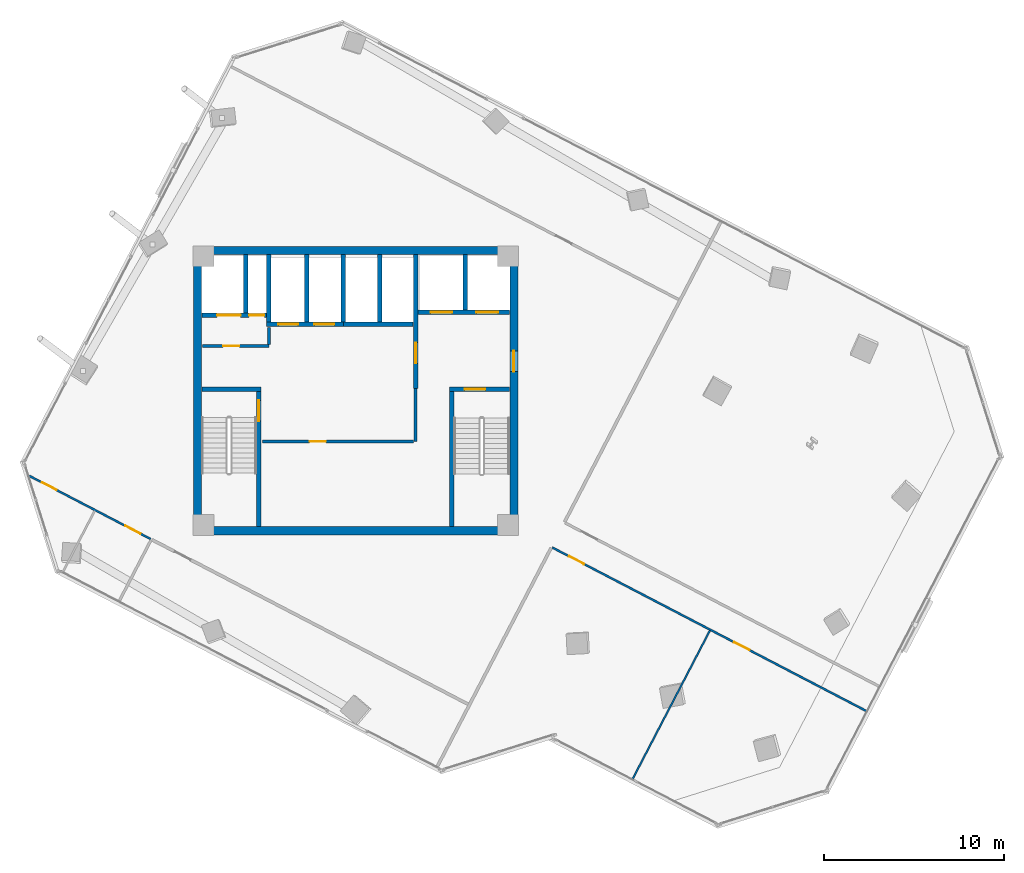
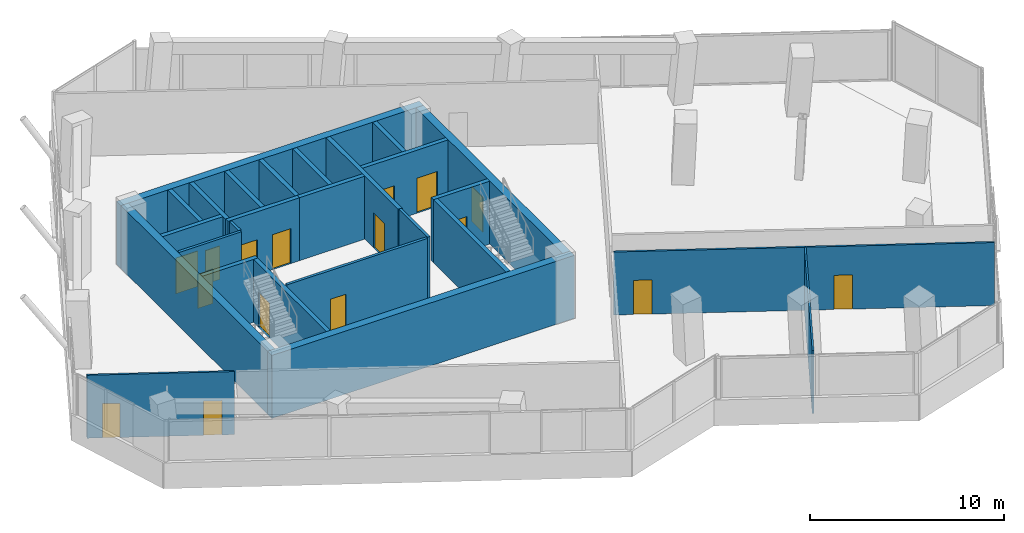
# One storey, part 17 of 22: 26 walls, 16 doors, 16 openings.
"""IFC4 building model written with IfcOpenShell, lengths in metres."""

from ifc_helpers import new_model, si_unit, direction, frame, frame_2d, origin, place, context, subcontext, project, spatial, rectangle, extrude, source, transform, mapped, material, layer, layer_set, type_object, element, fill, save


model = new_model("IFC4")

# Units and contexts
model_context = context("Model", 3, precision=1e-05, world=origin(), true_north=direction((0.0, 1.0)))
body_context = subcontext(model_context, "Body", "Model", "MODEL_VIEW")
ifc_project = project(units=[si_unit("LENGTHUNIT", "METRE"), si_unit("AREAUNIT", "SQUARE_METRE"), si_unit("VOLUMEUNIT", "CUBIC_METRE"), si_unit("PLANEANGLEUNIT", "RADIAN"), si_unit("MASSUNIT", "GRAM", prefix="KILO")], contexts=[model_context])

# Site, building, storey
site_placement = place(None, origin())
site = spatial("IfcSite", under=ifc_project, at=site_placement, CompositionType="ELEMENT")
building_placement = place(site_placement, origin())
building = spatial("IfcBuilding", under=site, at=building_placement, Name="Torre Montelarca", CompositionType="ELEMENT")
storey_placement = place(building_placement, frame((0.0, 0.0, 175.0)))
storey = spatial("IfcBuildingStorey", under=building, at=storey_placement, Name="L39", CompositionType="ELEMENT", Elevation=175.0)

# Wall, opening, door
ifc_material_1 = material(Name="Concrete C40/50", Category="concrete")
ifc_layer_1 = layer(ifc_material_1, 0.25, Name="Concrete C40/50", Category="concrete")
ifc_layer_set_1 = layer_set([ifc_layer_1], Name="Concrete C40/50")
wall_type_1 = type_object("IfcWallType", Name="CW-SHAFT-250", PredefinedType="SHEAR", material=ifc_layer_set_1)
wall_1_placement = place(storey_placement, frame((12.625, 24.4599609375, 0.0), z_axis=(0.0, 0.0, 1.0), x_axis=(0.0, 1.0, 0.0)))
wall_1 = element("IfcWall", 1, at=wall_1_placement, inside=storey, type_object=wall_type_1, Name="L39 Core Shear Wall SH-ST1-E", PredefinedType="SHEAR", context=body_context, shape_type="SweptSolid", body=[
    extrude(rectangle(XDim=7.489990234375, YDim=0.25, at=frame_2d((3.7451171875, 0.0))), origin(), (0.0, 0.0, 1.0), 3.9599609375),
])
opening_1_placement = place(wall_1_placement, frame((5.85009765625, 0.0, 0.0)))
opening_1 = element("IfcOpeningElement", 2, at=opening_1_placement, cuts=wall_1, Name="Opening FD-ST1", PredefinedType="OPENING", context=body_context, shape_type="SweptSolid", body=[
    extrude(rectangle(XDim=1.14990234375, YDim=2.199951171875, at=frame_2d((0.574951171875, 1.10009765625))), frame((0.0, 0.135009765625, 0.0), z_axis=(0.0, -1.0, 0.0), x_axis=(1.0, 0.0, 0.0)), (0.0, 0.0, 1.0), 0.27001953125),
])
ifc_material_2 = material(Name="Galvanized steel fire door", Category="steel")
door_type_1 = type_object("IfcDoorType", Name="DR-STAIR-115", OperationType="NOTDEFINED", PredefinedType="DOOR", material=ifc_material_2)
shared_shape_1 = source(origin(), body_context, "Body", "SweptSolid", [
    extrude(rectangle(XDim=1.14990234375, YDim=2.199951171875, at=frame_2d((0.574951171875, 1.10009765625))), frame((0.0, 0.02490234375, 0.0), z_axis=(0.0, -1.0, 0.0), x_axis=(1.0, 0.0, 0.0)), (0.0, 0.0, 1.0), 0.050048828125),
])
door_1_placement = place(opening_1_placement, origin())
door_1 = element("IfcDoor", 3, at=door_1_placement, inside=storey, type_object=door_type_1, Name="L39 Exit Stair ST1 Fire Door", OperationType="SINGLE_SWING_RIGHT", OverallHeight=2.199951171875, OverallWidth=1.14990234375, PredefinedType="DOOR", context=body_context, shape_type="MappedRepresentation", body=[
    mapped(shared_shape_1, transform((0.0, 0.0, 0.0), scale=1.0)),
])
fill(opening_1, door_1)

# Walls
wall_2_placement = place(storey_placement, frame((9.4599609375, 32.074951171875, 0.0), z_axis=(0.0, 0.0, 1.0), x_axis=(1.0, 0.0, 0.0)))
element("IfcWall", 4, at=wall_2_placement, inside=storey, type_object=wall_type_1, Name="L39 Core Shear Wall SH-ST1-N", PredefinedType="SHEAR", context=body_context, shape_type="SweptSolid", body=[
    extrude(rectangle(XDim=3.2900390625, YDim=0.25, at=frame_2d((1.64501953125, 0.0))), origin(), (0.0, 0.0, 1.0), 3.9599609375),
])
wall_3_placement = place(storey_placement, frame((23.31494140625, 24.4599609375, 0.0), z_axis=(0.0, 0.0, 1.0), x_axis=(0.0, 1.0, 0.0)))
element("IfcWall", 5, at=wall_3_placement, inside=storey, type_object=wall_type_1, Name="L39 Core Shear Wall SH-ST2-W", PredefinedType="SHEAR", context=body_context, shape_type="SweptSolid", body=[
    extrude(rectangle(XDim=7.489990234375, YDim=0.25, at=frame_2d((3.7451171875, 0.0))), origin(), (0.0, 0.0, 1.0), 3.9599609375),
])

# Wall, opening, door
wall_4_placement = place(storey_placement, frame((23.18994140625, 32.074951171875, 0.0), z_axis=(0.0, 0.0, 1.0), x_axis=(1.0, 0.0, 0.0)))
wall_4 = element("IfcWall", 6, at=wall_4_placement, inside=storey, type_object=wall_type_1, Name="L39 Core Shear Wall SH-ST2-N", PredefinedType="SHEAR", context=body_context, shape_type="SweptSolid", body=[
    extrude(rectangle(XDim=3.35009765625, YDim=0.25, at=frame_2d((1.675048828125, 0.0))), origin(), (0.0, 0.0, 1.0), 3.9599609375),
])
opening_2_placement = place(wall_4_placement, frame((0.85009765625, 0.0, 0.0)))
opening_2 = element("IfcOpeningElement", 7, at=opening_2_placement, cuts=wall_4, Name="Opening FD-ST1", PredefinedType="OPENING", context=body_context, shape_type="SweptSolid", body=[
    extrude(rectangle(XDim=1.14990234375, YDim=2.199951171875, at=frame_2d((0.574951171875, 1.10009765625))), frame((0.0, 0.135009765625, 0.0), z_axis=(0.0, -1.0, 0.0), x_axis=(1.0, 0.0, 0.0)), (0.0, 0.0, 1.0), 0.27001953125),
])
door_2_placement = place(opening_2_placement, origin())
door_2 = element("IfcDoor", 8, at=door_2_placement, inside=storey, type_object=door_type_1, Name="L39 Exit Stair ST2 Fire Door", OperationType="SINGLE_SWING_RIGHT", OverallHeight=2.199951171875, OverallWidth=1.14990234375, PredefinedType="DOOR", context=body_context, shape_type="MappedRepresentation", body=[
    mapped(shared_shape_1, transform((0.0, 0.0, 0.0), scale=1.0)),
])
fill(opening_2, door_2)

wall_5_placement = place(storey_placement, frame((21.320068359375, 32.1201171875, 0.0), z_axis=(0.0, 0.0, 1.0), x_axis=(0.0, 1.0, 0.0)))
wall_5 = element("IfcWall", 9, at=wall_5_placement, inside=storey, type_object=wall_type_1, Name="L39 Core Shear Wall SH-FFL-W", PredefinedType="SHEAR", context=body_context, shape_type="SweptSolid", body=[
    extrude(rectangle(XDim=7.419921875, YDim=0.25, at=frame_2d((3.7099609375, 0.0))), origin(), (0.0, 0.0, 1.0), 3.9599609375),
])
opening_3_placement = place(wall_5_placement, frame((1.39990234375, 0.0, 0.0)))
opening_3 = element("IfcOpeningElement", 10, at=opening_3_placement, cuts=wall_5, Name="Opening FD-LB1", PredefinedType="OPENING", context=body_context, shape_type="SweptSolid", body=[
    extrude(rectangle(XDim=1.14990234375, YDim=2.199951171875, at=frame_2d((0.574951171875, 1.10009765625))), frame((0.0, 0.135009765625, 0.0), z_axis=(0.0, -1.0, 0.0), x_axis=(1.0, 0.0, 0.0)), (0.0, 0.0, 1.0), 0.27001953125),
])
ifc_material_3 = material(Name="Acoustic timber-veneered fire door", Category="wood")
door_type_2 = type_object("IfcDoorType", Name="DR-LOBBY-115", OperationType="NOTDEFINED", PredefinedType="DOOR", material=ifc_material_3)
shared_shape_2 = source(origin(), body_context, "Body", "SweptSolid", [
    extrude(rectangle(XDim=1.14990234375, YDim=2.199951171875, at=frame_2d((0.574951171875, 1.10009765625))), frame((0.0, 0.02490234375, 0.0), z_axis=(0.0, -1.0, 0.0), x_axis=(1.0, 0.0, 0.0)), (0.0, 0.0, 1.0), 0.050048828125),
])
door_3_placement = place(opening_3_placement, origin())
door_3 = element("IfcDoor", 11, at=door_3_placement, inside=storey, type_object=door_type_2, Name="L39 Lift Lobby to Firefighting Lobby Smoke Door", OperationType="SINGLE_SWING_LEFT", OverallHeight=2.199951171875, OverallWidth=1.14990234375, PredefinedType="DOOR", context=body_context, shape_type="MappedRepresentation", body=[
    mapped(shared_shape_2, transform((0.0, 0.0, 0.0), scale=1.0)),
])
fill(opening_3, door_3)

# Wall, openings, doors
wall_6_placement = place(storey_placement, frame((9.4599609375, 36.179931640625, 0.0), z_axis=(0.0, 0.0, 1.0), x_axis=(1.0, 0.0, 0.0)))
wall_6 = element("IfcWall", 12, at=wall_6_placement, inside=storey, type_object=wall_type_1, Name="L39 Core Shear Wall SH-SV1-S", PredefinedType="SHEAR", context=body_context, shape_type="SweptSolid", body=[
    extrude(rectangle(XDim=3.7900390625, YDim=0.25, at=frame_2d((1.89501953125, 0.0))), origin(), (0.0, 0.0, 1.0), 3.9599609375),
])
opening_4_placement = place(wall_6_placement, frame((2.6201171875, 0.0, 0.0)))
opening_4 = element("IfcOpeningElement", 13, at=opening_4_placement, cuts=wall_6, Name="Opening FD-085", PredefinedType="OPENING", context=body_context, shape_type="SweptSolid", body=[
    extrude(rectangle(XDim=0.85009765625, YDim=2.10009765625, at=frame_2d((0.425048828125, 1.050048828125))), frame((0.0, 0.135009765625, 0.0), z_axis=(0.0, -1.0, 0.0), x_axis=(1.0, 0.0, 0.0)), (0.0, 0.0, 1.0), 0.27001953125),
])
opening_5_placement = place(wall_6_placement, frame((0.85009765625, 0.0, 0.0)))
opening_5 = element("IfcOpeningElement", 14, at=opening_5_placement, cuts=wall_6, Name="Opening LD-130", PredefinedType="OPENING", context=body_context, shape_type="SweptSolid", body=[
    extrude(rectangle(XDim=1.300048828125, YDim=2.25, at=frame_2d((0.64990234375, 1.125))), frame((0.0, 0.135009765625, 0.0), z_axis=(0.0, -1.0, 0.0), x_axis=(1.0, 0.0, 0.0)), (0.0, 0.0, 1.0), 0.27001953125),
])
ifc_material_4 = material(Name="Steel riser access fire door", Category="steel")
door_type_3 = type_object("IfcDoorType", Name="DR-RISER-085", OperationType="NOTDEFINED", PredefinedType="DOOR", material=ifc_material_4)
shared_shape_3 = source(origin(), body_context, "Body", "SweptSolid", [
    extrude(rectangle(XDim=0.85009765625, YDim=2.10009765625, at=frame_2d((0.425048828125, 1.050048828125))), frame((0.0, 0.02490234375, 0.0), z_axis=(0.0, -1.0, 0.0), x_axis=(1.0, 0.0, 0.0)), (0.0, 0.0, 1.0), 0.050048828125),
])
door_4_placement = place(opening_4_placement, origin())
door_4 = element("IfcDoor", 15, at=door_4_placement, inside=storey, type_object=door_type_3, Name="L39 Electrical Riser Shaft Access Door", OperationType="SINGLE_SWING_RIGHT", OverallHeight=2.10009765625, OverallWidth=0.85009765625, PredefinedType="DOOR", context=body_context, shape_type="MappedRepresentation", body=[
    mapped(shared_shape_3, transform((0.0, 0.0, 0.0), scale=1.0)),
])
fill(opening_4, door_4)
ifc_material_5 = material(Name="Brushed stainless steel AISI 316", Category="steel")
door_type_4 = type_object("IfcDoorType", Name="DR-LIFT-130", OperationType="SLIDING_TO_LEFT", PredefinedType="DOOR", material=ifc_material_5)
shared_shape_4 = source(origin(), body_context, "Body", "SweptSolid", [
    extrude(rectangle(XDim=1.300048828125, YDim=2.25, at=frame_2d((0.64990234375, 1.125))), frame((0.0, 0.02490234375, 0.0), z_axis=(0.0, -1.0, 0.0), x_axis=(1.0, 0.0, 0.0)), (0.0, 0.0, 1.0), 0.050048828125),
])
door_5_placement = place(opening_5_placement, origin())
door_5 = element("IfcDoor", 16, at=door_5_placement, inside=storey, type_object=door_type_4, Name="L39 Lift Landing Sliding Door SV-1", OperationType="SLIDING_TO_LEFT", OverallHeight=2.25, OverallWidth=1.300048828125, PredefinedType="DOOR", context=body_context, shape_type="MappedRepresentation", body=[
    mapped(shared_shape_4, transform((0.0, 0.0, 0.0), scale=1.0)),
])
fill(opening_5, door_5)

# Wall
wall_7_placement = place(storey_placement, frame((11.89990234375, 36.31005859375, 0.0), z_axis=(0.0, 0.0, 1.0), x_axis=(0.0, 1.0, 0.0)))
element("IfcWall", 17, at=wall_7_placement, inside=storey, type_object=wall_type_1, Name="L39 Core Shear Wall SH-SV1-E", PredefinedType="SHEAR", context=body_context, shape_type="SweptSolid", body=[
    extrude(rectangle(XDim=3.22998046875, YDim=0.25, at=frame_2d((1.614990234375, 0.0))), origin(), (0.0, 0.0, 1.0), 3.9599609375),
])

# Wall, openings, doors
wall_8_placement = place(storey_placement, frame((21.449951171875, 36.35009765625, 0.0), z_axis=(0.0, 0.0, 1.0), x_axis=(1.0, 0.0, 0.0)))
wall_8 = element("IfcWall", 18, at=wall_8_placement, inside=storey, type_object=wall_type_1, Name="L39 Core Shear Wall SH-FF-S", PredefinedType="SHEAR", context=body_context, shape_type="SweptSolid", body=[
    extrude(rectangle(XDim=5.090087890625, YDim=0.25, at=frame_2d((2.544921875, 0.0))), origin(), (0.0, 0.0, 1.0), 3.9599609375),
])
opening_6_placement = place(wall_8_placement, frame((0.699951171875, 0.0, 0.0)))
opening_6 = element("IfcOpeningElement", 19, at=opening_6_placement, cuts=wall_8, Name="Opening LD-120", PredefinedType="OPENING", context=body_context, shape_type="SweptSolid", body=[
    extrude(rectangle(XDim=1.199951171875, YDim=2.199951171875, at=frame_2d((0.60009765625, 1.10009765625))), frame((0.0, 0.135009765625, 0.0), z_axis=(0.0, -1.0, 0.0), x_axis=(1.0, 0.0, 0.0)), (0.0, 0.0, 1.0), 0.27001953125),
])
opening_7_placement = place(wall_8_placement, frame((3.25, 0.0, 0.0)))
opening_7 = element("IfcOpeningElement", 20, at=opening_7_placement, cuts=wall_8, Name="Opening LD-120", PredefinedType="OPENING", context=body_context, shape_type="SweptSolid", body=[
    extrude(rectangle(XDim=1.199951171875, YDim=2.199951171875, at=frame_2d((0.60009765625, 1.10009765625))), frame((0.0, 0.135009765625, 0.0), z_axis=(0.0, -1.0, 0.0), x_axis=(1.0, 0.0, 0.0)), (0.0, 0.0, 1.0), 0.27001953125),
])
door_type_5 = type_object("IfcDoorType", Name="DR-LIFT-120", OperationType="SLIDING_TO_RIGHT", PredefinedType="DOOR", material=ifc_material_5)
shared_shape_5 = source(origin(), body_context, "Body", "SweptSolid", [
    extrude(rectangle(XDim=1.199951171875, YDim=2.199951171875, at=frame_2d((0.60009765625, 1.10009765625))), frame((0.0, 0.02490234375, 0.0), z_axis=(0.0, -1.0, 0.0), x_axis=(1.0, 0.0, 0.0)), (0.0, 0.0, 1.0), 0.050048828125),
])
door_6_placement = place(opening_6_placement, origin())
door_6 = element("IfcDoor", 21, at=door_6_placement, inside=storey, type_object=door_type_5, Name="L39 Lift Landing Sliding Door FF-1", OperationType="SLIDING_TO_LEFT", OverallHeight=2.199951171875, OverallWidth=1.199951171875, PredefinedType="DOOR", context=body_context, shape_type="MappedRepresentation", body=[
    mapped(shared_shape_5, transform((0.0, 0.0, 0.0), scale=1.0)),
])
fill(opening_6, door_6)
door_7_placement = place(opening_7_placement, origin())
door_7 = element("IfcDoor", 22, at=door_7_placement, inside=storey, type_object=door_type_5, Name="L39 Lift Landing Sliding Door FF-2", OperationType="SLIDING_TO_RIGHT", OverallHeight=2.199951171875, OverallWidth=1.199951171875, PredefinedType="DOOR", context=body_context, shape_type="MappedRepresentation", body=[
    mapped(shared_shape_5, transform((0.0, 0.0, 0.0), scale=1.0)),
])
fill(opening_7, door_7)

# Wall
wall_9_placement = place(storey_placement, frame((24.080078125, 36.47998046875, 0.0), z_axis=(0.0, 0.0, 1.0), x_axis=(0.0, 1.0, 0.0)))
element("IfcWall", 23, at=wall_9_placement, inside=storey, type_object=wall_type_1, Name="L39 Core Shear Wall SH-FF-M", PredefinedType="SHEAR", context=body_context, shape_type="SweptSolid", body=[
    extrude(rectangle(XDim=3.06005859375, YDim=0.25, at=frame_2d((1.530029296875, 0.0))), origin(), (0.0, 0.0, 1.0), 3.9599609375),
])

# Wall, openings, doors
wall_10_placement = place(storey_placement, frame((13.06005859375, 35.679931640625, 0.0), z_axis=(0.0, 0.0, 1.0), x_axis=(1.0, 0.0, 0.0)))
wall_10 = element("IfcWall", 24, at=wall_10_placement, inside=storey, type_object=wall_type_1, Name="L39 Core Shear Wall SH-PLM-S", PredefinedType="SHEAR", context=body_context, shape_type="SweptSolid", body=[
    extrude(rectangle(XDim=4.25, YDim=0.25, at=frame_2d((2.125, 0.0))), origin(), (0.0, 0.0, 1.0), 3.9599609375),
])
opening_8_placement = place(wall_10_placement, frame((0.64990234375, 0.0, 0.0)))
opening_8 = element("IfcOpeningElement", 25, at=opening_8_placement, cuts=wall_10, Name="Opening LD-110", PredefinedType="OPENING", context=body_context, shape_type="SweptSolid", body=[
    extrude(rectangle(XDim=1.10009765625, YDim=2.199951171875, at=frame_2d((0.550048828125, 1.10009765625))), frame((0.0, 0.135009765625, 0.0), z_axis=(0.0, -1.0, 0.0), x_axis=(1.0, 0.0, 0.0)), (0.0, 0.0, 1.0), 0.27001953125),
])
opening_9_placement = place(wall_10_placement, frame((2.64990234375, 0.0, 0.0)))
opening_9 = element("IfcOpeningElement", 26, at=opening_9_placement, cuts=wall_10, Name="Opening LD-110", PredefinedType="OPENING", context=body_context, shape_type="SweptSolid", body=[
    extrude(rectangle(XDim=1.10009765625, YDim=2.199951171875, at=frame_2d((0.550048828125, 1.10009765625))), frame((0.0, 0.135009765625, 0.0), z_axis=(0.0, -1.0, 0.0), x_axis=(1.0, 0.0, 0.0)), (0.0, 0.0, 1.0), 0.27001953125),
])
door_type_6 = type_object("IfcDoorType", Name="DR-LIFT-110", OperationType="SLIDING_TO_LEFT", PredefinedType="DOOR", material=ifc_material_5)
shared_shape_6 = source(origin(), body_context, "Body", "SweptSolid", [
    extrude(rectangle(XDim=1.10009765625, YDim=2.199951171875, at=frame_2d((0.550048828125, 1.10009765625))), frame((0.0, 0.02490234375, 0.0), z_axis=(0.0, -1.0, 0.0), x_axis=(1.0, 0.0, 0.0)), (0.0, 0.0, 1.0), 0.050048828125),
])
door_8_placement = place(opening_8_placement, origin())
door_8 = element("IfcDoor", 27, at=door_8_placement, inside=storey, type_object=door_type_6, Name="L39 Lift Landing Sliding Door PL-M1", OperationType="SLIDING_TO_LEFT", OverallHeight=2.199951171875, OverallWidth=1.10009765625, PredefinedType="DOOR", context=body_context, shape_type="MappedRepresentation", body=[
    mapped(shared_shape_6, transform((0.0, 0.0, 0.0), scale=1.0)),
])
fill(opening_8, door_8)
door_9_placement = place(opening_9_placement, origin())
door_9 = element("IfcDoor", 28, at=door_9_placement, inside=storey, type_object=door_type_6, Name="L39 Lift Landing Sliding Door PL-M2", OperationType="SLIDING_TO_RIGHT", OverallHeight=2.199951171875, OverallWidth=1.10009765625, PredefinedType="DOOR", context=body_context, shape_type="MappedRepresentation", body=[
    mapped(shared_shape_6, transform((0.0, 0.0, 0.0), scale=1.0)),
])
fill(opening_9, door_9)

# Walls
for number, where, z_axis, x_axis, name in (
    (29, (13.179931640625, 35.81005859375, 0.0), (0.0, 0.0, 1.0), (0.0, 1.0, 0.0), "L39 Core Shear Wall SH-PLM-W"),
    (30, (15.280029296875, 35.81005859375, 0.0), (0.0, 0.0, 1.0), (0.0, 1.0, 0.0), "L39 Core Shear Wall SH-PLM-M"),
):
    element("IfcWall", number, at=place(storey_placement, frame(where, z_axis=z_axis, x_axis=x_axis)), inside=storey, type_object=wall_type_1, Name=name, PredefinedType="SHEAR", context=body_context, shape_type="SweptSolid", body=[
        extrude(rectangle(XDim=3.72998046875, YDim=0.25, at=frame_2d((1.864990234375, 0.0))), origin(), (0.0, 0.0, 1.0), 3.9599609375),
    ])
wall_11_placement = place(storey_placement, frame((17.320068359375, 35.679931640625, 0.0), z_axis=(0.0, 0.0, 1.0), x_axis=(1.0, 0.0, 0.0)))
element("IfcWall", 31, at=wall_11_placement, inside=storey, type_object=wall_type_1, Name="L39 Core Shear Wall SH-PLH-S", PredefinedType="SHEAR", context=body_context, shape_type="SweptSolid", body=[
    extrude(rectangle(XDim=3.869873046875, YDim=0.25, at=frame_2d((1.93505859375, 0.0))), origin(), (0.0, 0.0, 1.0), 3.9599609375),
])
for number, where, z_axis, x_axis, name in (
    (32, (17.320068359375, 35.81005859375, 0.0), (0.0, 0.0, 1.0), (0.0, 1.0, 0.0), "L39 Core Shear Wall SH-PLH-W"),
    (33, (19.320068359375, 35.81005859375, 0.0), (0.0, 0.0, 1.0), (0.0, 1.0, 0.0), "L39 Core Shear Wall SH-PLH-M"),
):
    element("IfcWall", number, at=place(storey_placement, frame(where, z_axis=z_axis, x_axis=x_axis)), inside=storey, type_object=wall_type_1, Name=name, PredefinedType="SHEAR", context=body_context, shape_type="SweptSolid", body=[
        extrude(rectangle(XDim=3.72998046875, YDim=0.25, at=frame_2d((1.864990234375, 0.0))), origin(), (0.0, 0.0, 1.0), 3.9599609375),
    ])
ifc_material_6 = material(Name="Concrete C55/67", Category="concrete")
ifc_layer_2 = layer(ifc_material_6, 0.449951171875, Name="Concrete C55/67", Category="concrete")
ifc_layer_set_2 = layer_set([ifc_layer_2], Name="Concrete C55/67")
wall_type_2 = type_object("IfcWallType", Name="CW-SHEAR-450", PredefinedType="SHEAR", material=ifc_layer_set_2)
wall_12_placement = place(storey_placement, frame((9.22509765625, 24.449951171875, 0.0), z_axis=(0.0, 0.0, 1.0), x_axis=(0.0, 1.0, 0.0)))
element("IfcWall", 34, at=wall_12_placement, inside=storey, type_object=wall_type_2, Name="L39 Core Shear Wall CW-W", PredefinedType="SHEAR", context=body_context, shape_type="SweptSolid", body=[
    extrude(rectangle(XDim=15.10009765625, YDim=0.449951171875, at=frame_2d((7.550048828125, 0.0))), origin(), (0.0, 0.0, 1.0), 3.9599609375),
])

# Wall, opening, door
wall_13_placement = place(storey_placement, frame((26.77490234375, 24.449951171875, 0.0), z_axis=(0.0, 0.0, 1.0), x_axis=(0.0, 1.0, 0.0)))
wall_13 = element("IfcWall", 35, at=wall_13_placement, inside=storey, type_object=wall_type_2, Name="L39 Core Shear Wall CW-E", PredefinedType="SHEAR", context=body_context, shape_type="SweptSolid", body=[
    extrude(rectangle(XDim=15.10009765625, YDim=0.449951171875, at=frame_2d((7.550048828125, 0.0))), origin(), (0.0, 0.0, 1.0), 3.9599609375),
])
opening_10_placement = place(wall_13_placement, frame((8.60009765625, 0.0, 0.0)))
opening_10 = element("IfcOpeningElement", 36, at=opening_10_placement, cuts=wall_13, Name="Opening FD-LB1", PredefinedType="OPENING", context=body_context, shape_type="SweptSolid", body=[
    extrude(rectangle(XDim=1.14990234375, YDim=2.199951171875, at=frame_2d((0.574951171875, 1.10009765625))), frame((0.0, 0.23486328125, 0.0), z_axis=(0.0, -1.0, 0.0), x_axis=(1.0, 0.0, 0.0)), (0.0, 0.0, 1.0), 0.469970703125),
])
door_10_placement = place(opening_10_placement, origin())
door_10 = element("IfcDoor", 37, at=door_10_placement, inside=storey, type_object=door_type_2, Name="L39 Firefighting Lift Lobby Corridor Fire Door", OperationType="SINGLE_SWING_RIGHT", OverallHeight=2.199951171875, OverallWidth=1.14990234375, PredefinedType="DOOR", context=body_context, shape_type="MappedRepresentation", body=[
    mapped(shared_shape_2, transform((0.0, 0.0, 0.0), scale=1.0)),
])
fill(opening_10, door_10)

# Walls
for number, where, z_axis, x_axis, name in (
    (38, (9.0, 24.22509765625, 0.0), (0.0, 0.0, 1.0), (1.0, 0.0, 0.0), "L39 Core Shear Wall CW-S1"),
    (39, (9.0, 39.77490234375, 0.0), (0.0, 0.0, 1.0), (1.0, 0.0, 0.0), "L39 Core Shear Wall CW-N1"),
):
    element("IfcWall", number, at=place(storey_placement, frame(where, z_axis=z_axis, x_axis=x_axis)), inside=storey, type_object=wall_type_2, Name=name, PredefinedType="SHEAR", context=body_context, shape_type="SweptSolid", body=[
        extrude(rectangle(XDim=18.0, YDim=0.449951171875, at=frame_2d((9.0, 0.0))), origin(), (0.0, 0.0, 1.0), 3.9599609375),
    ])

# Wall, opening, door
ifc_material_7 = material(Name="Gypsum plasterboard on steel stud", Category="steel")
ifc_layer_3 = layer(ifc_material_7, 0.159912109375, Name="Gypsum plasterboard on steel stud", Category="steel")
ifc_layer_set_3 = layer_set([ifc_layer_3], Name="Gypsum plasterboard on steel stud")
wall_type_3 = type_object("IfcWallType", Name="PW-FIRE-160", PredefinedType="PARTITIONING", material=ifc_layer_set_3)
wall_14_placement = place(storey_placement, frame((9.489990234375, 34.47998046875, 0.0), z_axis=(0.0, 0.0, 1.0), x_axis=(1.0, 0.0, 0.0)))
wall_14 = element("IfcWall", 40, at=wall_14_placement, inside=storey, type_object=wall_type_3, Name="L39 Interior Partition CW-L39-SVS", PredefinedType="PARTITIONING", context=body_context, shape_type="SweptSolid", body=[
    extrude(rectangle(XDim=3.699951171875, YDim=0.159912109375, at=frame_2d((1.85009765625, 0.0))), origin(), (0.0, 0.0, 1.0), 3.9599609375),
])
opening_11_placement = place(wall_14_placement, frame((1.14990234375, 0.0, 0.0)))
opening_11 = element("IfcOpeningElement", 41, at=opening_11_placement, cuts=wall_14, Name="Opening FD-090", PredefinedType="OPENING", context=body_context, shape_type="SweptSolid", body=[
    extrude(rectangle(XDim=0.89990234375, YDim=2.14990234375, at=frame_2d((0.449951171875, 1.074951171875))), frame((0.0, 0.08984375, 0.0), z_axis=(0.0, -1.0, 0.0), x_axis=(1.0, 0.0, 0.0)), (0.0, 0.0, 1.0), 0.179931640625),
])
ifc_material_8 = material(Name="Steel service fire door", Category="steel")
door_type_7 = type_object("IfcDoorType", Name="DR-FIRE-090", OperationType="NOTDEFINED", PredefinedType="DOOR", material=ifc_material_8)
shared_shape_7 = source(origin(), body_context, "Body", "SweptSolid", [
    extrude(rectangle(XDim=0.89990234375, YDim=2.14990234375, at=frame_2d((0.449951171875, 1.074951171875))), frame((0.0, 0.02490234375, 0.0), z_axis=(0.0, -1.0, 0.0), x_axis=(1.0, 0.0, 0.0)), (0.0, 0.0, 1.0), 0.050048828125),
])
door_11_placement = place(opening_11_placement, origin())
door_11 = element("IfcDoor", 42, at=door_11_placement, inside=storey, type_object=door_type_7, Name="L39 Interior Door 01", OperationType="SINGLE_SWING_RIGHT", OverallHeight=2.14990234375, OverallWidth=0.89990234375, PredefinedType="DOOR", context=body_context, shape_type="MappedRepresentation", body=[
    mapped(shared_shape_7, transform((0.0, 0.0, 0.0), scale=1.0)),
])
fill(opening_11, door_11)

# Wall
wall_15_placement = place(storey_placement, frame((13.199951171875, 34.570068359375, 0.0), z_axis=(0.0, 0.0, 1.0), x_axis=(0.0, 1.0, 0.0)))
element("IfcWall", 43, at=wall_15_placement, inside=storey, type_object=wall_type_3, Name="L39 Interior Partition CW-L39-SVE", PredefinedType="PARTITIONING", context=body_context, shape_type="SweptSolid", body=[
    extrude(rectangle(XDim=0.93994140625, YDim=0.159912109375, at=frame_2d((0.469970703125, 0.0))), origin(), (0.0, 0.0, 1.0), 3.9599609375),
])

# Wall, opening, door
wall_16_placement = place(storey_placement, frame((12.840087890625, 29.179931640625, 0.0), z_axis=(0.0, 0.0, 1.0), x_axis=(1.0, 0.0, 0.0)))
wall_16 = element("IfcWall", 44, at=wall_16_placement, inside=storey, type_object=wall_type_3, Name="L39 Interior Partition CW-L39-FRDN", PredefinedType="PARTITIONING", context=body_context, shape_type="SweptSolid", body=[
    extrude(rectangle(XDim=8.369873046875, YDim=0.159912109375, at=frame_2d((4.18505859375, 0.0))), origin(), (0.0, 0.0, 1.0), 3.9599609375),
])
opening_12_placement = place(wall_16_placement, frame((2.60009765625, 0.0, 0.0)))
opening_12 = element("IfcOpeningElement", 45, at=opening_12_placement, cuts=wall_16, Name="Opening FD-090", PredefinedType="OPENING", context=body_context, shape_type="SweptSolid", body=[
    extrude(rectangle(XDim=0.89990234375, YDim=2.14990234375, at=frame_2d((0.449951171875, 1.074951171875))), frame((0.0, 0.08984375, 0.0), z_axis=(0.0, -1.0, 0.0), x_axis=(1.0, 0.0, 0.0)), (0.0, 0.0, 1.0), 0.179931640625),
])
door_12_placement = place(opening_12_placement, origin())
door_12 = element("IfcDoor", 46, at=door_12_placement, inside=storey, type_object=door_type_7, Name="L39 Interior Door 02", OperationType="SINGLE_SWING_LEFT", OverallHeight=2.14990234375, OverallWidth=0.89990234375, PredefinedType="DOOR", context=body_context, shape_type="MappedRepresentation", body=[
    mapped(shared_shape_7, transform((0.0, 0.0, 0.0), scale=1.0)),
])
fill(opening_12, door_12)

# Walls
wall_17_placement = place(storey_placement, frame((21.320068359375, 29.18994140625, 0.0), z_axis=(0.0, 0.0, 1.0), x_axis=(0.0, 1.0, 0.0)))
element("IfcWall", 47, at=wall_17_placement, inside=storey, type_object=wall_type_3, Name="L39 Interior Partition CW-L39-FRE", PredefinedType="PARTITIONING", context=body_context, shape_type="SweptSolid", body=[
    extrude(rectangle(XDim=2.920166015625, YDim=0.159912109375, at=frame_2d((1.4599609375, 0.0))), origin(), (0.0, 0.0, 1.0), 3.9599609375),
])
ifc_material_9 = material(Name="Acoustic laminated glass partition", Category="glass")
ifc_layer_4 = layer(ifc_material_9, 0.10009765625, Name="Acoustic laminated glass partition", Category="glass")
ifc_layer_set_4 = layer_set([ifc_layer_4], Name="Acoustic laminated glass partition")
wall_type_4 = type_object("IfcWallType", Name="PW-GLAZ-100", PredefinedType="PARTITIONING", material=ifc_layer_set_4)
wall_18_placement = place(storey_placement, frame((33.3681640625, 10.466796875, 0.0), z_axis=(0.0, 0.0, 1.0), x_axis=(0.461728758034, 0.887021168859, 0.0)))
element("IfcWall", 48, at=wall_18_placement, inside=storey, type_object=wall_type_4, Name="L39 Interior Partition W-L39-SEDIV-1", PredefinedType="PARTITIONING", context=body_context, shape_type="SweptSolid", body=[
    extrude(rectangle(XDim=9.280029296875, YDim=0.10009765625, at=frame_2d((4.64013671875, 0.0))), origin(), (0.0, 0.0, 1.0), 3.9599609375),
])

# Wall, openings, doors
ifc_layer_5 = layer(ifc_material_7, 0.114990234375, Name="Gypsum plasterboard on steel stud", Category="steel")
ifc_layer_set_5 = layer_set([ifc_layer_5], Name="Gypsum plasterboard on steel stud")
wall_type_5 = type_object("IfcWallType", Name="PW-PART-115", PredefinedType="PARTITIONING", material=ifc_layer_set_5)
wall_19_placement = place(storey_placement, frame((-0.114990234375, 27.277099609375, 0.0), z_axis=(0.0, 0.0, 1.0), x_axis=(0.887004800346, -0.461760202012, 0.0)))
wall_19 = element("IfcWall", 49, at=wall_19_placement, inside=storey, type_object=wall_type_5, Name="L39 Interior Partition W-L39-WCN", PredefinedType="PARTITIONING", context=body_context, shape_type="SweptSolid", body=[
    extrude(rectangle(XDim=7.601806640625, YDim=0.114990234375, at=frame_2d((3.80078125, 0.0))), origin(), (0.0, 0.0, 1.0), 3.9599609375),
])
opening_13_placement = place(wall_19_placement, frame((0.800048828125, 0.0, 0.0)))
opening_13 = element("IfcOpeningElement", 50, at=opening_13_placement, cuts=wall_19, Name="Opening ID-090", PredefinedType="OPENING", context=body_context, shape_type="SweptSolid", body=[
    extrude(rectangle(XDim=0.89990234375, YDim=2.14990234375, at=frame_2d((0.449951171875, 1.074951171875))), frame((0.0, 0.0673828125, 0.0), z_axis=(0.0, -1.0, 0.0), x_axis=(1.0, 0.0, 0.0)), (0.0, 0.0, 1.0), 0.135009765625),
])
opening_14_placement = place(wall_19_placement, frame((6.010009765625, 0.0, 0.0)))
opening_14 = element("IfcOpeningElement", 51, at=opening_14_placement, cuts=wall_19, Name="Opening ID-095", PredefinedType="OPENING", context=body_context, shape_type="SweptSolid", body=[
    extrude(rectangle(XDim=0.949951171875, YDim=2.14990234375, at=frame_2d((0.47509765625, 1.074951171875))), frame((0.0, 0.0673828125, 0.0), z_axis=(0.0, -1.0, 0.0), x_axis=(1.0, 0.0, 0.0)), (0.0, 0.0, 1.0), 0.135009765625),
])
ifc_material_10 = material(Name="Hardwood acoustic timber veneer", Category="wood")
door_type_8 = type_object("IfcDoorType", Name="DR-INT-090", OperationType="NOTDEFINED", PredefinedType="DOOR", material=ifc_material_10)
shared_shape_8 = source(origin(), body_context, "Body", "SweptSolid", [
    extrude(rectangle(XDim=0.89990234375, YDim=2.14990234375, at=frame_2d((0.449951171875, 1.074951171875))), frame((0.0, 0.02490234375, 0.0), z_axis=(0.0, -1.0, 0.0), x_axis=(1.0, 0.0, 0.0)), (0.0, 0.0, 1.0), 0.050048828125),
])
door_13_placement = place(opening_13_placement, origin())
door_13 = element("IfcDoor", 52, at=door_13_placement, inside=storey, type_object=door_type_8, Name="L39 Interior Door 03", OperationType="SINGLE_SWING_LEFT", OverallHeight=2.14990234375, OverallWidth=0.89990234375, PredefinedType="DOOR", context=body_context, shape_type="MappedRepresentation", body=[
    mapped(shared_shape_8, transform((0.0, 0.0, 0.0), scale=1.0)),
])
fill(opening_13, door_13)
door_type_9 = type_object("IfcDoorType", Name="DR-INT-095", OperationType="NOTDEFINED", PredefinedType="DOOR", material=ifc_material_10)
shared_shape_9 = source(origin(), body_context, "Body", "SweptSolid", [
    extrude(rectangle(XDim=0.949951171875, YDim=2.14990234375, at=frame_2d((0.47509765625, 1.074951171875))), frame((0.0, 0.02490234375, 0.0), z_axis=(0.0, -1.0, 0.0), x_axis=(1.0, 0.0, 0.0)), (0.0, 0.0, 1.0), 0.050048828125),
])
door_14_placement = place(opening_14_placement, origin())
door_14 = element("IfcDoor", 53, at=door_14_placement, inside=storey, type_object=door_type_9, Name="L39 Interior Door 04", OperationType="SINGLE_SWING_RIGHT", OverallHeight=2.14990234375, OverallWidth=0.949951171875, PredefinedType="DOOR", context=body_context, shape_type="MappedRepresentation", body=[
    mapped(shared_shape_9, transform((0.0, 0.0, 0.0), scale=1.0)),
])
fill(opening_14, door_14)

wall_20_placement = place(storey_placement, frame((28.899169921875, 23.300537109375, 0.0), z_axis=(0.0, 0.0, 1.0), x_axis=(0.887006056854, -0.461757788353, 0.0)))
wall_20 = element("IfcWall", 54, at=wall_20_placement, inside=storey, type_object=wall_type_5, Name="L39 Interior Partition W-L39-SE-N", PredefinedType="PARTITIONING", context=body_context, shape_type="SweptSolid", body=[
    extrude(rectangle(XDim=19.639892578125, YDim=0.114990234375, at=frame_2d((9.81982421875, 0.0))), origin(), (0.0, 0.0, 1.0), 3.9599609375),
])
opening_15_placement = place(wall_20_placement, frame((1.050048828125, 0.0, 0.0)))
opening_15 = element("IfcOpeningElement", 55, at=opening_15_placement, cuts=wall_20, Name="Opening ID-095", PredefinedType="OPENING", context=body_context, shape_type="SweptSolid", body=[
    extrude(rectangle(XDim=0.949951171875, YDim=2.14990234375, at=frame_2d((0.47509765625, 1.074951171875))), frame((0.0, 0.0673828125, 0.0), z_axis=(0.0, -1.0, 0.0), x_axis=(1.0, 0.0, 0.0)), (0.0, 0.0, 1.0), 0.135009765625),
])
opening_16_placement = place(wall_20_placement, frame((11.3798828125, 0.0, 0.0)))
opening_16 = element("IfcOpeningElement", 56, at=opening_16_placement, cuts=wall_20, Name="Opening ID-095", PredefinedType="OPENING", context=body_context, shape_type="SweptSolid", body=[
    extrude(rectangle(XDim=0.949951171875, YDim=2.14990234375, at=frame_2d((0.47509765625, 1.074951171875))), frame((0.0, 0.0673828125, 0.0), z_axis=(0.0, -1.0, 0.0), x_axis=(1.0, 0.0, 0.0)), (0.0, 0.0, 1.0), 0.135009765625),
])
door_15_placement = place(opening_15_placement, origin())
door_15 = element("IfcDoor", 57, at=door_15_placement, inside=storey, type_object=door_type_9, Name="L39 Interior Door 08", OperationType="SINGLE_SWING_LEFT", OverallHeight=2.14990234375, OverallWidth=0.949951171875, PredefinedType="DOOR", context=body_context, shape_type="MappedRepresentation", body=[
    mapped(shared_shape_9, transform((0.0, 0.0, 0.0), scale=1.0)),
])
fill(opening_15, door_15)
door_16_placement = place(opening_16_placement, origin())
door_16 = element("IfcDoor", 58, at=door_16_placement, inside=storey, type_object=door_type_9, Name="L39 Interior Door 09", OperationType="SINGLE_SWING_RIGHT", OverallHeight=2.14990234375, OverallWidth=0.949951171875, PredefinedType="DOOR", context=body_context, shape_type="MappedRepresentation", body=[
    mapped(shared_shape_9, transform((0.0, 0.0, 0.0), scale=1.0)),
])
fill(opening_16, door_16)

save(model, "model.ifc")
